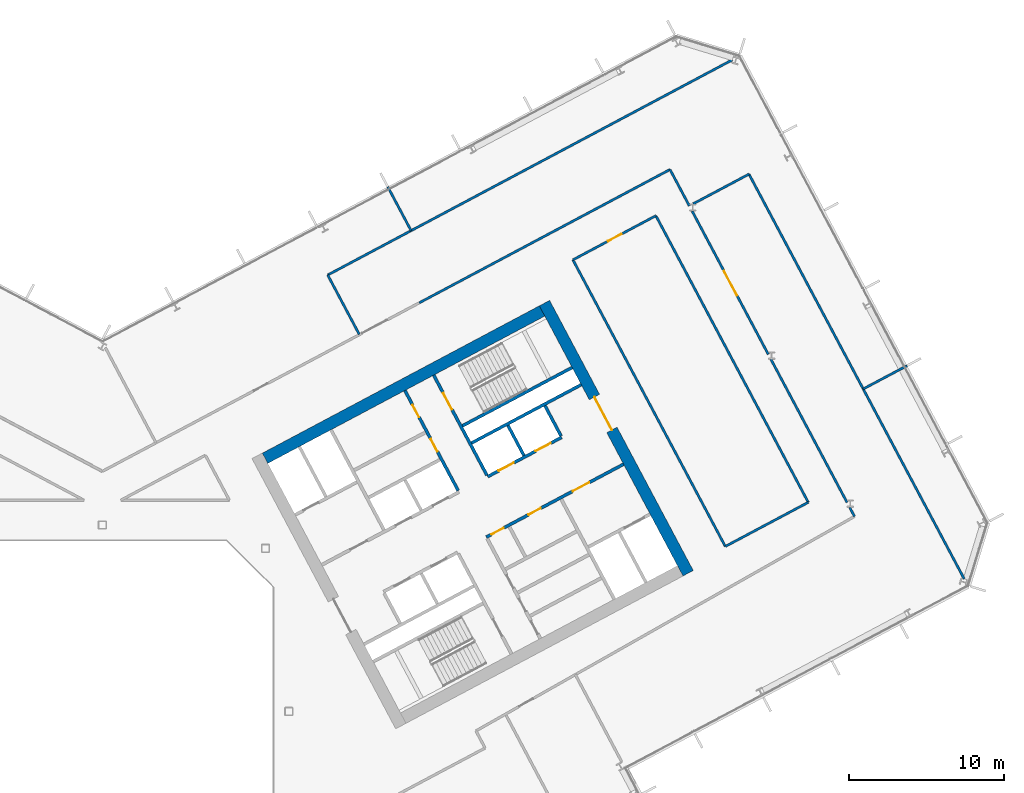
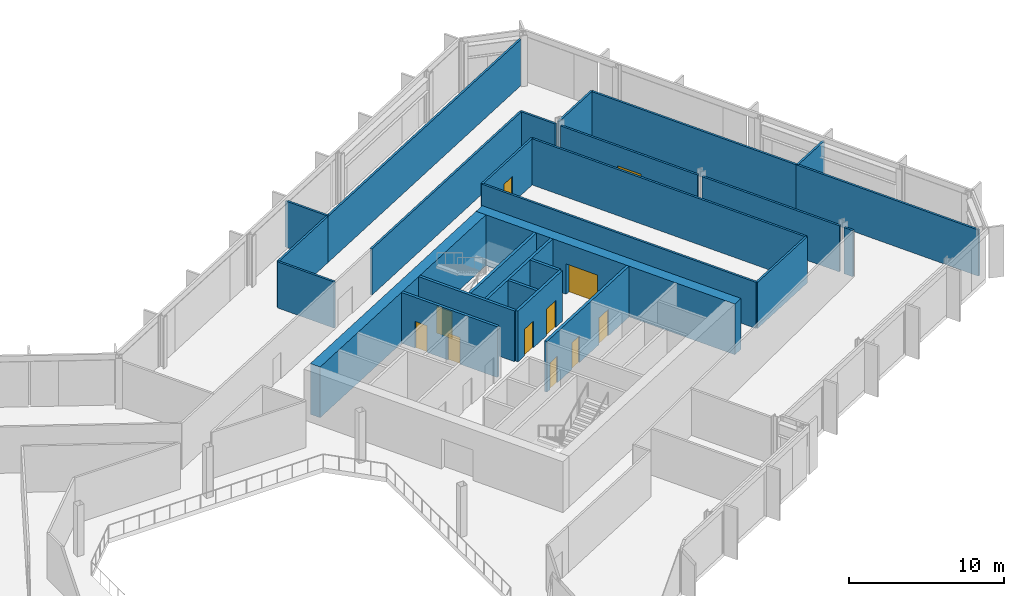
# One storey, part 17 of 28: 27 walls, 11 doors, 11 openings.
"""IFC4 building model written with IfcOpenShell, lengths in metres."""

from ifc_helpers import new_model, si_unit, direction, frame, frame_2d, origin, place, context, subcontext, project, spatial, rectangle, extrude, material, layer, layer_set, type_object, element, fill, save


model = new_model("IFC4")

# Units and contexts
model_context = context("Model", 3, precision=1e-05, world=origin(), true_north=direction((0.0, 1.0)))
body_context = subcontext(model_context, "Body", "Model", "MODEL_VIEW")
ifc_project = project(units=[si_unit("LENGTHUNIT", "METRE"), si_unit("AREAUNIT", "SQUARE_METRE"), si_unit("VOLUMEUNIT", "CUBIC_METRE"), si_unit("PLANEANGLEUNIT", "RADIAN"), si_unit("MASSUNIT", "GRAM", prefix="KILO")], contexts=[model_context])

# Site, building, storey
site_placement = place(None, origin())
site = spatial("IfcSite", under=ifc_project, at=site_placement, CompositionType="ELEMENT")
building_placement = place(site_placement, origin())
building = spatial("IfcBuilding", under=site, at=building_placement, Name="Cormorant Relay Tower", CompositionType="ELEMENT")
storey_placement = place(building_placement, frame((0.0, 0.0, 150.199951171875)))
storey = spatial("IfcBuildingStorey", under=building, at=storey_placement, Name="L31", CompositionType="ELEMENT", Elevation=150.199951171875)

# Wall
ifc_material_1 = material(Name="Concrete 40 MPa", Category="concrete")
ifc_layer_1 = layer(ifc_material_1, 0.199951171875)
ifc_layer_set_1 = layer_set([ifc_layer_1], Name="Core internal wall 200")
wall_type_1 = type_object("IfcWallType", Name="Core internal wall 200", PredefinedType="SOLIDWALL", material=ifc_layer_set_1)
wall_1_placement = place(storey_placement, frame((27.144287109375, 16.471435546875, 0.0), z_axis=(0.0, 0.0, 1.0), x_axis=(-0.469401318492, 0.882984938828, 0.0)))
element("IfcWall", 1, at=wall_1_placement, inside=storey, type_object=wall_type_1, Name="L31 core B shaft and room wall", PredefinedType="SOLIDWALL", context=body_context, shape_type="SweptSolid", body=[
    extrude(rectangle(XDim=2.199951171875, YDim=0.199951171875, at=frame_2d((1.10009765625, 0.0))), origin(), (0.0, 0.0, 1.0), 4.0),
])

# Wall, openings, doors
ifc_material_2 = material(Name="Concrete 50 MPa", Category="concrete")
ifc_layer_2 = layer(ifc_material_2, 0.199951171875)
ifc_layer_set_2 = layer_set([ifc_layer_2], Name="Core shaft wall 200")
wall_type_2 = type_object("IfcWallType", Name="Core shaft wall 200", PredefinedType="SHEAR", material=ifc_layer_set_2)
wall_2_placement = place(storey_placement, frame((22.90625, 14.218017578125, 0.0), z_axis=(0.0, 0.0, 1.0), x_axis=(-0.469480409012, 0.88294288918, 0.0)))
wall_2 = element("IfcWall", 2, at=wall_2_placement, inside=storey, type_object=wall_type_2, Name="L31 core B shaft wall", PredefinedType="SHEAR", context=body_context, shape_type="SweptSolid", body=[
    extrude(rectangle(XDim=7.300048828125, YDim=0.199951171875, at=frame_2d((3.64990234375, 0.0))), origin(), (0.0, 0.0, 1.0), 4.0),
])
opening_1_placement = place(wall_2_placement, frame((2.85009765625, 0.0, 0.0)))
opening_1 = element("IfcOpeningElement", 3, at=opening_1_placement, cuts=wall_2, Name="Opening CDD-201", PredefinedType="OPENING", context=body_context, shape_type="SweptSolid", body=[
    extrude(rectangle(XDim=0.89990234375, YDim=2.10009765625, at=frame_2d((0.449951171875, 1.050048828125))), frame((0.0, 0.10986328125, 0.0), z_axis=(0.0, -1.0, 0.0), x_axis=(1.0, 0.0, 0.0)), (0.0, 0.0, 1.0), 0.219970703125),
])
opening_2_placement = place(wall_2_placement, frame((5.35009765625, 0.0, 0.0)))
opening_2 = element("IfcOpeningElement", 4, at=opening_2_placement, cuts=wall_2, Name="Opening CDD-202", PredefinedType="OPENING", context=body_context, shape_type="SweptSolid", body=[
    extrude(rectangle(XDim=0.89990234375, YDim=2.10009765625, at=frame_2d((0.449951171875, 1.050048828125))), frame((0.0, 0.10986328125, 0.0), z_axis=(0.0, -1.0, 0.0), x_axis=(1.0, 0.0, 0.0)), (0.0, 0.0, 1.0), 0.219970703125),
])
ifc_material_3 = material(Name="Steel fire door", Category="steel")
door_type_1 = type_object("IfcDoorType", Name="Core room door 900x2100", OperationType="SINGLE_SWING_LEFT", PredefinedType="DOOR", material=ifc_material_3)
door_1_placement = place(opening_1_placement, origin())
door_1 = element("IfcDoor", 5, at=door_1_placement, inside=storey, type_object=door_type_1, Name="Core room door 900x2100", OperationType="SINGLE_SWING_RIGHT", OverallHeight=2.10009765625, OverallWidth=0.89990234375, PredefinedType="DOOR", context=body_context, shape_type="SweptSolid", body=[
    extrude(rectangle(XDim=0.89990234375, YDim=2.10009765625, at=frame_2d((0.449951171875, 1.050048828125))), frame((0.0, 0.02490234375, 0.0), z_axis=(0.0, -1.0, 0.0), x_axis=(1.0, 0.0, 0.0)), (0.0, 0.0, 1.0), 0.050048828125),
])
fill(opening_1, door_1)
door_2_placement = place(opening_2_placement, origin())
door_2 = element("IfcDoor", 6, at=door_2_placement, inside=storey, type_object=door_type_1, Name="Core room door 900x2100", OperationType="SINGLE_SWING_LEFT", OverallHeight=2.10009765625, OverallWidth=0.89990234375, PredefinedType="DOOR", context=body_context, shape_type="SweptSolid", body=[
    extrude(rectangle(XDim=0.89990234375, YDim=2.10009765625, at=frame_2d((0.449951171875, 1.050048828125))), frame((0.0, 0.02490234375, 0.0), z_axis=(0.0, -1.0, 0.0), x_axis=(1.0, 0.0, 0.0)), (0.0, 0.0, 1.0), 0.050048828125),
])
fill(opening_2, door_2)

# Wall, opening, door
wall_3_placement = place(storey_placement, frame((24.760498046875, 15.2041015625, 0.0), z_axis=(0.0, 0.0, 1.0), x_axis=(-0.469494272526, 0.882935517501, 0.0)))
wall_3 = element("IfcWall", 7, at=wall_3_placement, inside=storey, type_object=wall_type_2, Name="L31 core B shaft wall", PredefinedType="SHEAR", context=body_context, shape_type="SweptSolid", body=[
    extrude(rectangle(XDim=7.2998046875, YDim=0.199951171875, at=frame_2d((3.64990234375, 0.0))), origin(), (0.0, 0.0, 1.0), 4.0),
])
opening_3_placement = place(wall_3_placement, frame((4.800048828125, 0.0, 0.0)))
opening_3 = element("IfcOpeningElement", 8, at=opening_3_placement, cuts=wall_3, Name="Opening CDB-037", PredefinedType="OPENING", context=body_context, shape_type="SweptSolid", body=[
    extrude(rectangle(XDim=1.199951171875, YDim=2.10009765625, at=frame_2d((0.60009765625, 1.050048828125))), frame((0.0, 0.10986328125, 0.0), z_axis=(0.0, -1.0, 0.0), x_axis=(1.0, 0.0, 0.0)), (0.0, 0.0, 1.0), 0.219970703125),
])
ifc_material_4 = material(Name="Steel fire door", Category="steel")
door_type_2 = type_object("IfcDoorType", Name="Core stair door 1200x2100", OperationType="SINGLE_SWING_LEFT", PredefinedType="DOOR", material=ifc_material_4)
door_3_placement = place(opening_3_placement, frame((1.199951171875, 0.0, 0.0), z_axis=(0.0, 0.0, 1.0), x_axis=(-1.0, 0.0, 0.0)))
door_3 = element("IfcDoor", 9, at=door_3_placement, inside=storey, type_object=door_type_2, Name="Core stair door 1200x2100", OperationType="SINGLE_SWING_RIGHT", OverallHeight=2.10009765625, OverallWidth=1.199951171875, PredefinedType="DOOR", context=body_context, shape_type="SweptSolid", body=[
    extrude(rectangle(XDim=1.199951171875, YDim=2.10009765625, at=frame_2d((0.60009765625, 1.050048828125))), frame((0.0, 0.02490234375, 0.0), z_axis=(0.0, -1.0, 0.0), x_axis=(1.0, 0.0, 0.0)), (0.0, 0.0, 1.0), 0.050048828125),
])
fill(opening_3, door_3)

# Wall
wall_4_placement = place(storey_placement, frame((29.5283203125, 17.739013671875, 0.0), z_axis=(0.0, 0.0, 1.0), x_axis=(-0.469401318492, 0.882984938828, 0.0)))
element("IfcWall", 10, at=wall_4_placement, inside=storey, type_object=wall_type_2, Name="L31 core B shaft wall", PredefinedType="SHEAR", context=body_context, shape_type="SweptSolid", body=[
    extrude(rectangle(XDim=2.199951171875, YDim=0.199951171875, at=frame_2d((1.10009765625, 0.0))), origin(), (0.0, 0.0, 1.0), 4.0),
])

# Wall, openings, doors
wall_5_placement = place(storey_placement, frame((24.72607421875, 11.2216796875, 0.0), z_axis=(0.0, 0.0, 1.0), x_axis=(0.882940221191, 0.469485426614, 0.0)))
wall_5 = element("IfcWall", 11, at=wall_5_placement, inside=storey, type_object=wall_type_2, Name="L31 core B shaft wall", PredefinedType="SHEAR", context=body_context, shape_type="SweptSolid", body=[
    extrude(rectangle(XDim=10.0, YDim=0.199951171875, at=frame_2d((5.0, 0.0))), origin(), (0.0, 0.0, 1.0), 4.0),
])
opening_4_placement = place(wall_5_placement, frame((6.300048828125, 0.0, 0.0)))
opening_4 = element("IfcOpeningElement", 12, at=opening_4_placement, cuts=wall_5, Name="Opening CDC-028", PredefinedType="OPENING", context=body_context, shape_type="SweptSolid", body=[
    extrude(rectangle(XDim=1.199951171875, YDim=2.10009765625, at=frame_2d((0.60009765625, 1.050048828125))), frame((0.0, 0.10986328125, 0.0), z_axis=(0.0, -1.0, 0.0), x_axis=(1.0, 0.0, 0.0)), (0.0, 0.0, 1.0), 0.219970703125),
])
opening_5_placement = place(wall_5_placement, frame((0.360107421875, 0.0, 0.0)))
opening_5 = element("IfcOpeningElement", 13, at=opening_5_placement, cuts=wall_5, Name="Opening CDD-177", PredefinedType="OPENING", context=body_context, shape_type="SweptSolid", body=[
    extrude(rectangle(XDim=0.89990234375, YDim=2.10009765625, at=frame_2d((0.449951171875, 1.050048828125))), frame((0.0, 0.10986328125, 0.0), z_axis=(0.0, -1.0, 0.0), x_axis=(1.0, 0.0, 0.0)), (0.0, 0.0, 1.0), 0.219970703125),
])
opening_6_placement = place(wall_5_placement, frame((3.06005859375, 0.0, 0.0)))
opening_6 = element("IfcOpeningElement", 14, at=opening_6_placement, cuts=wall_5, Name="Opening CDD-178", PredefinedType="OPENING", context=body_context, shape_type="SweptSolid", body=[
    extrude(rectangle(XDim=0.89990234375, YDim=2.10009765625, at=frame_2d((0.449951171875, 1.050048828125))), frame((0.0, 0.10986328125, 0.0), z_axis=(0.0, -1.0, 0.0), x_axis=(1.0, 0.0, 0.0)), (0.0, 0.0, 1.0), 0.219970703125),
])
ifc_material_5 = material(Name="Steel fire door", Category="steel")
door_type_3 = type_object("IfcDoorType", Name="Core lobby door 1200x2100", OperationType="SINGLE_SWING_LEFT", PredefinedType="DOOR", material=ifc_material_5)
door_4_placement = place(opening_4_placement, frame((1.199951171875, 0.0, 0.0), z_axis=(0.0, 0.0, 1.0), x_axis=(-1.0, 0.0, 0.0)))
door_4 = element("IfcDoor", 15, at=door_4_placement, inside=storey, type_object=door_type_3, Name="Core lobby door 1200x2100", OperationType="SINGLE_SWING_RIGHT", OverallHeight=2.10009765625, OverallWidth=1.199951171875, PredefinedType="DOOR", context=body_context, shape_type="SweptSolid", body=[
    extrude(rectangle(XDim=1.199951171875, YDim=2.10009765625, at=frame_2d((0.60009765625, 1.050048828125))), frame((0.0, 0.02490234375, 0.0), z_axis=(0.0, -1.0, 0.0), x_axis=(1.0, 0.0, 0.0)), (0.0, 0.0, 1.0), 0.050048828125),
])
fill(opening_4, door_4)
door_5_placement = place(opening_5_placement, frame((0.89990234375, 0.0, 0.0), z_axis=(0.0, 0.0, 1.0), x_axis=(-1.0, 0.0, 0.0)))
door_5 = element("IfcDoor", 16, at=door_5_placement, inside=storey, type_object=door_type_1, Name="Core room door 900x2100", OperationType="SINGLE_SWING_RIGHT", OverallHeight=2.10009765625, OverallWidth=0.89990234375, PredefinedType="DOOR", context=body_context, shape_type="SweptSolid", body=[
    extrude(rectangle(XDim=0.89990234375, YDim=2.10009765625, at=frame_2d((0.449951171875, 1.050048828125))), frame((0.0, 0.02490234375, 0.0), z_axis=(0.0, -1.0, 0.0), x_axis=(1.0, 0.0, 0.0)), (0.0, 0.0, 1.0), 0.050048828125),
])
fill(opening_5, door_5)
door_6_placement = place(opening_6_placement, frame((0.89990234375, 0.0, 0.0), z_axis=(0.0, 0.0, 1.0), x_axis=(-1.0, 0.0, 0.0)))
door_6 = element("IfcDoor", 17, at=door_6_placement, inside=storey, type_object=door_type_1, Name="Core room door 900x2100", OperationType="SINGLE_SWING_RIGHT", OverallHeight=2.10009765625, OverallWidth=0.89990234375, PredefinedType="DOOR", context=body_context, shape_type="SweptSolid", body=[
    extrude(rectangle(XDim=0.89990234375, YDim=2.10009765625, at=frame_2d((0.449951171875, 1.050048828125))), frame((0.0, 0.02490234375, 0.0), z_axis=(0.0, -1.0, 0.0), x_axis=(1.0, 0.0, 0.0)), (0.0, 0.0, 1.0), 0.050048828125),
])
fill(opening_6, door_6)

wall_6_placement = place(storey_placement, frame((24.807373046875, 15.11572265625, 0.0), z_axis=(0.0, 0.0, 1.0), x_axis=(0.882942972946, 0.469480251476, 0.0)))
wall_6 = element("IfcWall", 18, at=wall_6_placement, inside=storey, type_object=wall_type_2, Name="L31 core B shaft wall", PredefinedType="SHEAR", context=body_context, shape_type="SweptSolid", body=[
    extrude(rectangle(XDim=5.39990234375, YDim=0.199951171875, at=frame_2d((2.699951171875, 0.0))), origin(), (0.0, 0.0, 1.0), 4.0),
])
opening_7_placement = place(wall_6_placement, frame((0.800048828125, 0.0, 0.0)))
opening_7 = element("IfcOpeningElement", 19, at=opening_7_placement, cuts=wall_6, Name="Opening LD1-046", PredefinedType="OPENING", context=body_context, shape_type="SweptSolid", body=[
    extrude(rectangle(XDim=1.10009765625, YDim=2.10009765625, at=frame_2d((0.550048828125, 1.050048828125))), frame((0.0, 0.10986328125, 0.0), z_axis=(0.0, -1.0, 0.0), x_axis=(1.0, 0.0, 0.0)), (0.0, 0.0, 1.0), 0.219970703125),
])
opening_8_placement = place(wall_6_placement, frame((3.5, 0.0, 0.0)))
opening_8 = element("IfcOpeningElement", 20, at=opening_8_placement, cuts=wall_6, Name="Opening LD1-047", PredefinedType="OPENING", context=body_context, shape_type="SweptSolid", body=[
    extrude(rectangle(XDim=1.10009765625, YDim=2.10009765625, at=frame_2d((0.550048828125, 1.050048828125))), frame((0.0, 0.10986328125, 0.0), z_axis=(0.0, -1.0, 0.0), x_axis=(1.0, 0.0, 0.0)), (0.0, 0.0, 1.0), 0.219970703125),
])
ifc_material_6 = material(Name="Stainless steel 316", Category="steel")
door_type_4 = type_object("IfcDoorType", Name="Lift landing door 1100x2100", OperationType="DOUBLE_DOOR_SLIDING", PredefinedType="DOOR", material=ifc_material_6)
door_7_placement = place(opening_7_placement, origin())
door_7 = element("IfcDoor", 21, at=door_7_placement, inside=storey, type_object=door_type_4, Name="LR3 landing door", OperationType="DOUBLE_DOOR_SLIDING", OverallHeight=2.10009765625, OverallWidth=1.10009765625, PredefinedType="DOOR", context=body_context, shape_type="SweptSolid", body=[
    extrude(rectangle(XDim=1.10009765625, YDim=2.10009765625, at=frame_2d((0.550048828125, 1.050048828125))), frame((0.0, 0.02490234375, 0.0), z_axis=(0.0, -1.0, 0.0), x_axis=(1.0, 0.0, 0.0)), (0.0, 0.0, 1.0), 0.050048828125),
])
fill(opening_7, door_7)
door_8_placement = place(opening_8_placement, origin())
door_8 = element("IfcDoor", 22, at=door_8_placement, inside=storey, type_object=door_type_4, Name="LR4 landing door", OperationType="DOUBLE_DOOR_SLIDING", OverallHeight=2.10009765625, OverallWidth=1.10009765625, PredefinedType="DOOR", context=body_context, shape_type="SweptSolid", body=[
    extrude(rectangle(XDim=1.10009765625, YDim=2.10009765625, at=frame_2d((0.550048828125, 1.050048828125))), frame((0.0, 0.02490234375, 0.0), z_axis=(0.0, -1.0, 0.0), x_axis=(1.0, 0.0, 0.0)), (0.0, 0.0, 1.0), 0.050048828125),
])
fill(opening_8, door_8)

# Walls
wall_7_placement = place(storey_placement, frame((23.76904296875, 17.28173828125, 0.0), z_axis=(0.0, 0.0, 1.0), x_axis=(0.882940221191, 0.469485426614, 0.0)))
element("IfcWall", 23, at=wall_7_placement, inside=storey, type_object=wall_type_2, Name="L31 core B shaft wall", PredefinedType="SHEAR", context=body_context, shape_type="SweptSolid", body=[
    extrude(rectangle(XDim=8.0, YDim=0.199951171875, at=frame_2d((4.0, 0.0))), origin(), (0.0, 0.0, 1.0), 4.0),
])
wall_8_placement = place(storey_placement, frame((23.18212890625, 18.385498046875, 0.0), z_axis=(0.0, 0.0, 1.0), x_axis=(0.88295287151, 0.469461634952, 0.0)))
element("IfcWall", 24, at=wall_8_placement, inside=storey, type_object=wall_type_2, Name="L31 core B shaft wall", PredefinedType="SHEAR", context=body_context, shape_type="SweptSolid", body=[
    extrude(rectangle(XDim=7.999755859375, YDim=0.199951171875, at=frame_2d((4.0, 0.0))), origin(), (0.0, 0.0, 1.0), 4.0),
])

# Wall, opening, door
ifc_material_7 = material(Name="Concrete 60 MPa", Category="concrete")
ifc_layer_3 = layer(ifc_material_7, 0.75)
ifc_layer_set_3 = layer_set([ifc_layer_3], Name="Core wall 750")
wall_type_3 = type_object("IfcWallType", Name="Core wall 750", PredefinedType="SHEAR", material=ifc_layer_set_3)
wall_9_placement = place(storey_placement, frame((37.712646484375, 8.896484375, 0.0), z_axis=(0.0, 0.0, 1.0), x_axis=(-0.469469918705, 0.88294846703, 0.0)))
wall_9 = element("IfcWall", 25, at=wall_9_placement, inside=storey, type_object=wall_type_3, Name="L31 core B wall", PredefinedType="SHEAR", context=body_context, shape_type="SweptSolid", body=[
    extrude(rectangle(XDim=19.699951171875, YDim=0.75, at=frame_2d((9.85009765625, 0.0))), origin(), (0.0, 0.0, 1.0), 4.0),
])
opening_9_placement = place(wall_9_placement, frame((10.449951171875, 0.0, 0.0)))
opening_9 = element("IfcOpeningElement", 26, at=opening_9_placement, cuts=wall_9, Name="Opening CDA-029", PredefinedType="OPENING", context=body_context, shape_type="SweptSolid", body=[
    extrude(rectangle(XDim=2.39990234375, YDim=2.39990234375, at=frame_2d((1.199951171875, 1.199951171875))), frame((0.0, 0.385009765625, 0.0), z_axis=(0.0, -1.0, 0.0), x_axis=(1.0, 0.0, 0.0)), (0.0, 0.0, 1.0), 0.77001953125),
])
ifc_material_8 = material(Name="Steel fire door", Category="steel")
door_type_5 = type_object("IfcDoorType", Name="Core lobby door 2400x2400", OperationType="DOUBLE_DOOR_SINGLE_SWING", PredefinedType="DOOR", material=ifc_material_8)
door_9_placement = place(opening_9_placement, origin())
door_9 = element("IfcDoor", 27, at=door_9_placement, inside=storey, type_object=door_type_5, Name="Core lobby door 2400x2400", OperationType="DOUBLE_DOOR_SINGLE_SWING", OverallHeight=2.39990234375, OverallWidth=2.39990234375, PredefinedType="DOOR", context=body_context, shape_type="SweptSolid", body=[
    extrude(rectangle(XDim=2.39990234375, YDim=2.39990234375, at=frame_2d((1.199951171875, 1.199951171875))), frame((0.0, 0.02490234375, 0.0), z_axis=(0.0, -1.0, 0.0), x_axis=(1.0, 0.0, 0.0)), (0.0, 0.0, 1.0), 0.050048828125),
])
fill(opening_9, door_9)

# Walls
wall_10_placement = place(storey_placement, frame((10.4736328125, 16.300048828125, 0.0), z_axis=(0.0, 0.0, 1.0), x_axis=(0.88295010195, 0.469466843842, 0.0)))
element("IfcWall", 28, at=wall_10_placement, inside=storey, type_object=wall_type_3, Name="L31 core B wall", PredefinedType="SHEAR", context=body_context, shape_type="SweptSolid", body=[
    extrude(rectangle(XDim=20.199951171875, YDim=0.75, at=frame_2d((10.10009765625, 0.0))), origin(), (0.0, 0.0, 1.0), 4.0),
])
ifc_material_9 = material(Name="Gypsum board fire partition")
ifc_layer_4 = layer(ifc_material_9, 0.14990234375)
ifc_layer_set_4 = layer_set([ifc_layer_4], Name="Corridor partition 150 EI 60")
wall_type_4 = type_object("IfcWallType", Name="Corridor partition 150 EI 60", PredefinedType="PARTITIONING", material=ifc_layer_set_4)
wall_11_placement = place(storey_placement, frame((37.7900390625, 32.554931640625, 0.0), z_axis=(0.0, 0.0, 1.0), x_axis=(-0.469898914502, 0.882720233228, 0.0)))
element("IfcWall", 29, at=wall_11_placement, inside=storey, type_object=wall_type_4, Name="wall/L31/part/056", PredefinedType="PARTITIONING", context=body_context, shape_type="SweptSolid", body=[
    extrude(rectangle(XDim=2.647705078125, YDim=0.14990234375, at=frame_2d((1.32373046875, 0.0))), origin(), (0.0, 0.0, 1.0), 3.64013671875),
])
wall_12_placement = place(storey_placement, frame((20.402099609375, 26.30810546875, 0.0), z_axis=(0.0, 0.0, 1.0), x_axis=(0.882958355843, 0.469451319997, 0.0)))
element("IfcWall", 30, at=wall_12_placement, inside=storey, type_object=wall_type_4, Name="wall/L31/part/057", PredefinedType="PARTITIONING", context=body_context, shape_type="SweptSolid", body=[
    extrude(rectangle(XDim=18.28515625, YDim=0.14990234375, at=frame_2d((9.142578125, 0.0))), origin(), (0.0, 0.0, 1.0), 3.64013671875),
])

# Wall, opening, door
wall_13_placement = place(storey_placement, frame((37.97412109375, 32.208984375, 0.0), z_axis=(0.0, 0.0, 1.0), x_axis=(0.469434985691, -0.882967040274, 0.0)))
wall_13 = element("IfcWall", 31, at=wall_13_placement, inside=storey, type_object=wall_type_4, Name="wall/L31/part/061", PredefinedType="PARTITIONING", context=body_context, shape_type="SweptSolid", body=[
    extrude(rectangle(XDim=10.442138671875, YDim=0.14990234375, at=frame_2d((5.22119140625, 0.0))), origin(), (0.0, 0.0, 1.0), 3.64013671875),
])
opening_10_placement = place(wall_13_placement, frame((4.35107421875, 0.0, 0.0)))
opening_10 = element("IfcOpeningElement", 32, at=opening_10_placement, cuts=wall_13, Name="Opening DD-010", PredefinedType="OPENING", context=body_context, shape_type="SweptSolid", body=[
    extrude(rectangle(XDim=1.800048828125, YDim=2.10009765625, at=frame_2d((0.89990234375, 1.050048828125))), frame((0.0, 0.0849609375, 0.0), z_axis=(0.0, -1.0, 0.0), x_axis=(1.0, 0.0, 0.0)), (0.0, 0.0, 1.0), 0.169921875),
])
ifc_material_10 = material(Name="Timber door leaf", Category="wood")
door_type_6 = type_object("IfcDoorType", Name="Suite double door 1800x2100", OperationType="DOUBLE_DOOR_SINGLE_SWING", PredefinedType="DOOR", material=ifc_material_10)
door_10_placement = place(opening_10_placement, frame((1.800048828125, 0.0, 0.0), z_axis=(0.0, 0.0, 1.0), x_axis=(-1.0, 0.0, 0.0)))
door_10 = element("IfcDoor", 33, at=door_10_placement, inside=storey, type_object=door_type_6, Name="door/L31/006", OperationType="DOUBLE_DOOR_SINGLE_SWING", OverallHeight=2.10009765625, OverallWidth=1.800048828125, PredefinedType="DOOR", context=body_context, shape_type="SweptSolid", body=[
    extrude(rectangle(XDim=1.800048828125, YDim=2.10009765625, at=frame_2d((0.89990234375, 1.050048828125))), frame((0.0, 0.02490234375, 0.0), z_axis=(0.0, -1.0, 0.0), x_axis=(1.0, 0.0, 0.0)), (0.0, 0.0, 1.0), 0.050048828125),
])
fill(opening_10, door_10)

# Walls
wall_14_placement = place(storey_placement, frame((43.0439453125, 22.672119140625, 0.0), z_axis=(0.0, 0.0, 1.0), x_axis=(0.469530755038, -0.882916117235, 0.0)))
element("IfcWall", 34, at=wall_14_placement, inside=storey, type_object=wall_type_4, Name="wall/L31/part/062", PredefinedType="PARTITIONING", context=body_context, shape_type="SweptSolid", body=[
    extrude(rectangle(XDim=10.4404296875, YDim=0.14990234375, at=frame_2d((5.22021484375, 0.0))), origin(), (0.0, 0.0, 1.0), 3.64013671875),
])
wall_15_placement = place(storey_placement, frame((48.114990234375, 13.135986328125, 0.0), z_axis=(0.0, 0.0, 1.0), x_axis=(0.469551655302, -0.882905002253, 0.0)))
element("IfcWall", 35, at=wall_15_placement, inside=storey, type_object=wall_type_4, Name="wall/L31/part/063", PredefinedType="PARTITIONING", context=body_context, shape_type="SweptSolid", body=[
    extrude(rectangle(XDim=0.660400390625, YDim=0.14990234375, at=frame_2d((0.330078125, 0.0))), origin(), (0.0, 0.0, 1.0), 3.64013671875),
])

# Wall, opening, door
wall_16_placement = place(storey_placement, frame((30.2958984375, 29.075927734375, 0.0), z_axis=(0.0, 0.0, 1.0), x_axis=(0.882867405174, 0.469622342826, 0.0)))
wall_16 = element("IfcWall", 36, at=wall_16_placement, inside=storey, type_object=wall_type_4, Name="wall/L31/part/078", PredefinedType="PARTITIONING", context=body_context, shape_type="SweptSolid", body=[
    extrude(rectangle(XDim=6.049560546875, YDim=0.14990234375, at=frame_2d((3.02490234375, 0.0))), origin(), (0.0, 0.0, 1.0), 3.64013671875),
])
opening_11_placement = place(wall_16_placement, frame((2.550048828125, 0.0, 0.0)))
opening_11 = element("IfcOpeningElement", 37, at=opening_11_placement, cuts=wall_16, Name="Opening DS-044", PredefinedType="OPENING", context=body_context, shape_type="SweptSolid", body=[
    extrude(rectangle(XDim=1.0, YDim=2.10009765625, at=frame_2d((0.5, 1.050048828125))), frame((0.0, 0.0849609375, 0.0), z_axis=(0.0, -1.0, 0.0), x_axis=(1.0, 0.0, 0.0)), (0.0, 0.0, 1.0), 0.169921875),
])
ifc_material_11 = material(Name="Timber door leaf", Category="wood")
door_type_7 = type_object("IfcDoorType", Name="Suite door 1000x2100", OperationType="SINGLE_SWING_LEFT", PredefinedType="DOOR", material=ifc_material_11)
door_11_placement = place(opening_11_placement, frame((1.0, 0.0, 0.0), z_axis=(0.0, 0.0, 1.0), x_axis=(-1.0, 0.0, 0.0)))
door_11 = element("IfcDoor", 38, at=door_11_placement, inside=storey, type_object=door_type_7, Name="door/L31/020", OperationType="SINGLE_SWING_RIGHT", OverallHeight=2.10009765625, OverallWidth=1.0, PredefinedType="DOOR", context=body_context, shape_type="SweptSolid", body=[
    extrude(rectangle(XDim=1.0, YDim=2.10009765625, at=frame_2d((0.5, 1.050048828125))), frame((0.0, 0.02490234375, 0.0), z_axis=(0.0, -1.0, 0.0), x_axis=(1.0, 0.0, 0.0)), (0.0, 0.0, 1.0), 0.050048828125),
])
fill(opening_11, door_11)

# Walls
wall_17_placement = place(storey_placement, frame((35.636962890625, 31.9169921875, 0.0), z_axis=(0.0, 0.0, 1.0), x_axis=(0.469463799246, -0.882951720762, 0.0)))
element("IfcWall", 39, at=wall_17_placement, inside=storey, type_object=wall_type_4, Name="wall/L31/part/079", PredefinedType="PARTITIONING", context=body_context, shape_type="SweptSolid", body=[
    extrude(rectangle(XDim=20.900390625, YDim=0.14990234375, at=frame_2d((10.4501953125, 0.0))), origin(), (0.0, 0.0, 1.0), 3.64013671875),
])
wall_18_placement = place(storey_placement, frame((45.448974609375, 13.462890625, 0.0), z_axis=(0.0, 0.0, 1.0), x_axis=(-0.882951059878, -0.469465042213, 0.0)))
element("IfcWall", 40, at=wall_18_placement, inside=storey, type_object=wall_type_4, Name="wall/L31/part/080", PredefinedType="PARTITIONING", context=body_context, shape_type="SweptSolid", body=[
    extrude(rectangle(XDim=6.049072265625, YDim=0.14990234375, at=frame_2d((3.0244140625, 0.0))), origin(), (0.0, 0.0, 1.0), 3.64013671875),
])
wall_19_placement = place(storey_placement, frame((40.10791015625, 10.623046875, 0.0), z_axis=(0.0, 0.0, 1.0), x_axis=(-0.469488010228, 0.882938847402, 0.0)))
element("IfcWall", 41, at=wall_19_placement, inside=storey, type_object=wall_type_4, Name="wall/L31/part/081", PredefinedType="PARTITIONING", context=body_context, shape_type="SweptSolid", body=[
    extrude(rectangle(XDim=20.8994140625, YDim=0.14990234375, at=frame_2d((10.44970703125, 0.0))), origin(), (0.0, 0.0, 1.0), 3.64013671875),
])
ifc_material_12 = material(Name="Gypsum board partition")
ifc_layer_5 = layer(ifc_material_12, 0.14990234375)
ifc_layer_set_5 = layer_set([ifc_layer_5], Name="Tenant partition 150")
wall_type_5 = type_object("IfcWallType", Name="Tenant partition 150", PredefinedType="PARTITIONING", material=ifc_layer_set_5)
wall_20_placement = place(storey_placement, frame((14.507080078125, 28.10009765625, 0.0), z_axis=(0.0, 0.0, 1.0), x_axis=(0.469255579647, -0.883062399251, 0.0)))
element("IfcWall", 42, at=wall_20_placement, inside=storey, type_object=wall_type_5, Name="wall/L31/part/052", PredefinedType="PARTITIONING", context=body_context, shape_type="SweptSolid", body=[
    extrude(rectangle(XDim=4.328125, YDim=0.14990234375, at=frame_2d((2.1640625, 0.0))), origin(), (0.0, 0.0, 1.0), 3.64013671875),
])
wall_21_placement = place(storey_placement, frame((14.506103515625, 28.09912109375, 0.0), z_axis=(0.0, 0.0, 1.0), x_axis=(0.882949189538, 0.469468559857, 0.0)))
element("IfcWall", 43, at=wall_21_placement, inside=storey, type_object=wall_type_5, Name="wall/L31/part/053", PredefinedType="PARTITIONING", context=body_context, shape_type="SweptSolid", body=[
    extrude(rectangle(XDim=6.000244140625, YDim=0.14990234375, at=frame_2d((3.0, 0.0))), origin(), (0.0, 0.0, 1.0), 3.64013671875),
])
wall_22_placement = place(storey_placement, frame((18.3740234375, 33.780029296875, 0.0), z_axis=(0.0, 0.0, 1.0), x_axis=(0.469685095616, -0.882834022315, 0.0)))
element("IfcWall", 44, at=wall_22_placement, inside=storey, type_object=wall_type_5, Name="wall/L31/part/054", PredefinedType="PARTITIONING", context=body_context, shape_type="SweptSolid", body=[
    extrude(rectangle(XDim=3.199951171875, YDim=0.14990234375, at=frame_2d((1.60009765625, 0.0))), origin(), (0.0, 0.0, 1.0), 3.64013671875),
])
wall_23_placement = place(storey_placement, frame((19.803955078125, 30.916015625, 0.0), z_axis=(0.0, 0.0, 1.0), x_axis=(0.882942088651, 0.469481914548, 0.0)))
element("IfcWall", 45, at=wall_23_placement, inside=storey, type_object=wall_type_5, Name="wall/L31/part/055", PredefinedType="PARTITIONING", context=body_context, shape_type="SweptSolid", body=[
    extrude(rectangle(XDim=23.51123046875, YDim=0.14990234375, at=frame_2d((11.755615234375, 0.0))), origin(), (0.0, 0.0, 1.0), 3.64013671875),
])
wall_24_placement = place(storey_placement, frame((48.952880859375, 20.825927734375, 0.0), z_axis=(0.0, 0.0, 1.0), x_axis=(-0.469481062735, 0.882942541581, 0.0)))
element("IfcWall", 46, at=wall_24_placement, inside=storey, type_object=wall_type_5, Name="wall/L31/part/065", PredefinedType="PARTITIONING", context=body_context, shape_type="SweptSolid", body=[
    extrude(rectangle(XDim=15.593505859375, YDim=0.14990234375, at=frame_2d((7.796875, 0.0))), origin(), (0.0, 0.0, 1.0), 3.64013671875),
])
wall_25_placement = place(storey_placement, frame((41.632080078125, 34.593994140625, 0.0), z_axis=(0.0, 0.0, 1.0), x_axis=(-0.88295491585, -0.469457789984, 0.0)))
element("IfcWall", 47, at=wall_25_placement, inside=storey, type_object=wall_type_5, Name="wall/L31/part/066", PredefinedType="PARTITIONING", context=body_context, shape_type="SweptSolid", body=[
    extrude(rectangle(XDim=4.0703125, YDim=0.14990234375, at=frame_2d((2.03515625, 0.0))), origin(), (0.0, 0.0, 1.0), 3.64013671875),
])
wall_26_placement = place(storey_placement, frame((48.952880859375, 20.825927734375, 0.0), z_axis=(0.0, 0.0, 1.0), x_axis=(0.469480582042, -0.882942797176, 0.0)))
element("IfcWall", 48, at=wall_26_placement, inside=storey, type_object=wall_type_5, Name="wall/L31/part/067", PredefinedType="PARTITIONING", context=body_context, shape_type="SweptSolid", body=[
    extrude(rectangle(XDim=13.915771484375, YDim=0.14990234375, at=frame_2d((6.9580078125, 0.0))), origin(), (0.0, 0.0, 1.0), 3.64013671875),
])
wall_27_placement = place(storey_placement, frame((51.81298828125, 22.262939453125, 0.0), z_axis=(0.0, 0.0, 1.0), x_axis=(-0.883154243406, -0.469082703107, 0.0)))
element("IfcWall", 49, at=wall_27_placement, inside=storey, type_object=wall_type_5, Name="wall/L31/part/068", PredefinedType="PARTITIONING", context=body_context, shape_type="SweptSolid", body=[
    extrude(rectangle(XDim=3.19970703125, YDim=0.14990234375, at=frame_2d((1.599853515625, 0.0))), origin(), (0.0, 0.0, 1.0), 3.64013671875),
])

save(model, "model.ifc")
